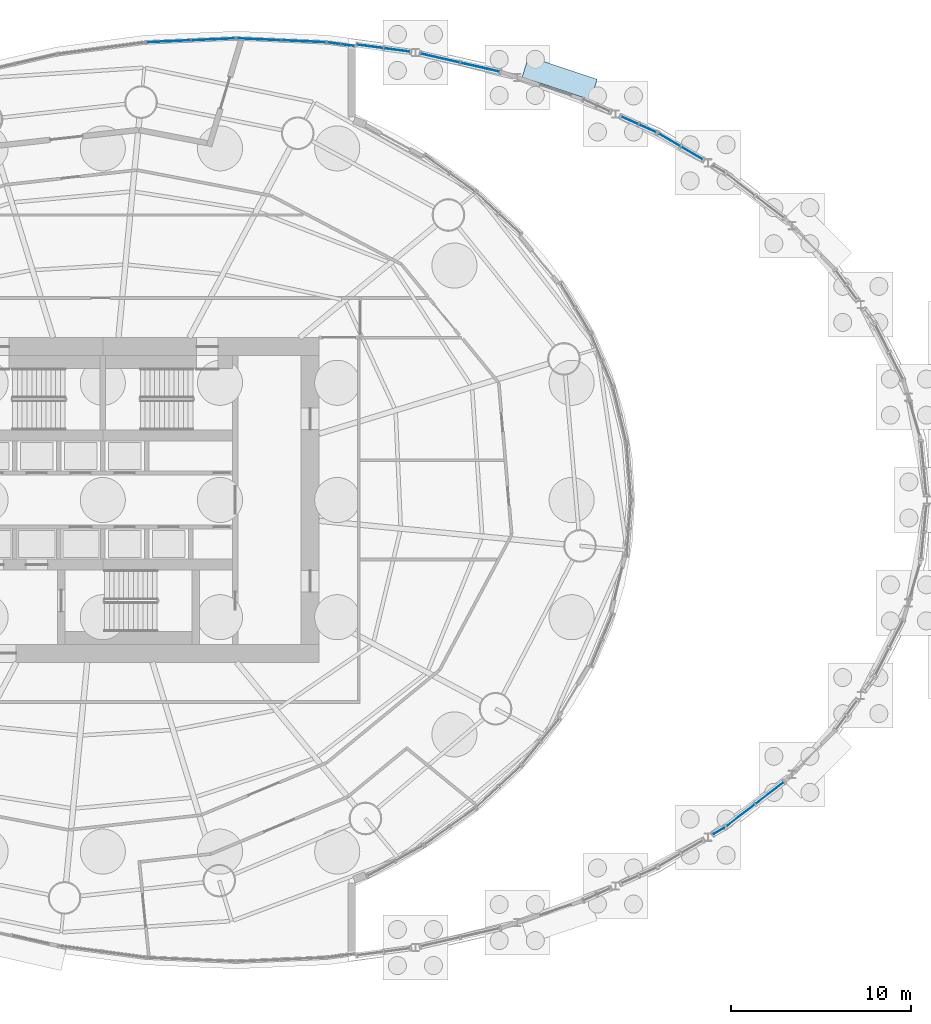
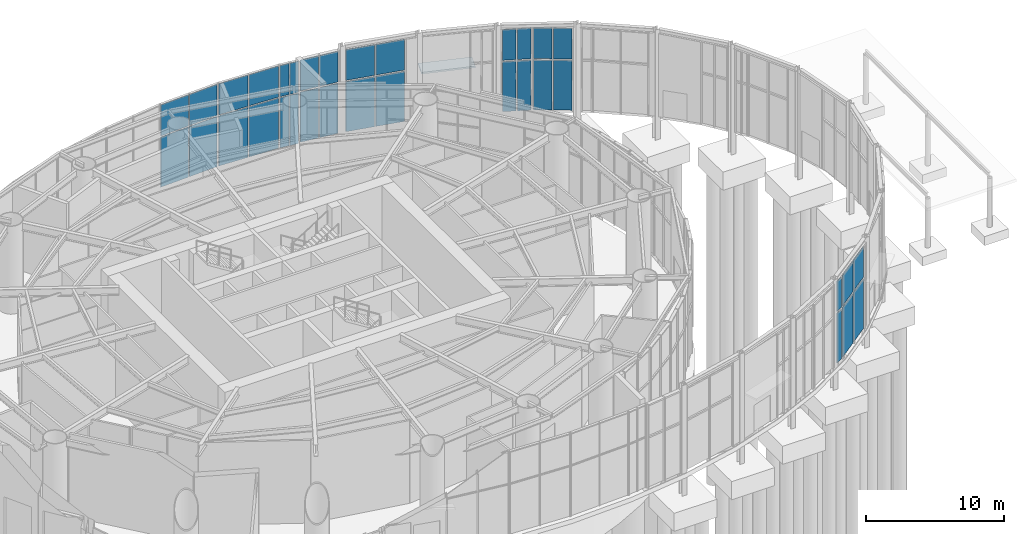
# One storey, part 19 of 27: 35 plates, 9 elements without a shape of their own.
"""IFC4 building model written with IfcOpenShell, lengths in metres."""

import ifcopenshell
import ifcopenshell.guid

model = None  # the IFC model being written
_history = None  # IfcOwnerHistory: only IFC2X3 demands one
_inside = {}  # id of a spatial element -> (the spatial element, [elements in it])
_under = {}  # id of a project, library or spatial element -> (it, [spatial elements below it])
_declared = {}  # id of a project -> (the project, [libraries it declares])
_typed = {}  # id of a type object -> (the type object, [elements of that type])
_made_of = {}  # id of a material, layer set ... -> (it, [elements and type objects made of it])


def new_model(schema):
    """Start an empty IFC model of exactly this schema.

    Asked for "IFC4X3", IfcOpenShell would pick the latest addendum, in which some entities
    have other attributes; the version numbers below select the first issue.
    IFC2X3 requires an IfcOwnerHistory on every rooted entity: one is made here for all.
    """
    global model, _history
    if schema == "IFC4X3":
        model = ifcopenshell.file(schema_version=(4, 3, 0, 0))
    else:
        model = ifcopenshell.file(schema=schema)
    _inside.clear()
    _under.clear()
    _declared.clear()
    _typed.clear()
    _made_of.clear()
    _history = None
    if model.schema == "IFC2X3":
        org = make("IfcOrganization", Name="unknown")
        user = make(
            "IfcPersonAndOrganization",
            ThePerson=make("IfcPerson", FamilyName="unknown"),
            TheOrganization=org,
        )
        app = make(
            "IfcApplication",
            ApplicationDeveloper=org,
            Version="unknown",
            ApplicationFullName="unknown",
            ApplicationIdentifier="unknown",
        )
        _history = make(
            "IfcOwnerHistory",
            OwningUser=user,
            OwningApplication=app,
            ChangeAction="ADDED",
            CreationDate=0,
        )
    return model


def make(cls, **values):
    """One entity of the class cls with the attributes given. An attribute that is None is left unset."""
    return model.create_entity(
        cls, **{name: value for name, value in values.items() if value is not None}
    )


def rooted(cls, **values):
    """An entity with a GlobalId (a new one), such as an element, a storey or a relation."""
    return make(cls, GlobalId=ifcopenshell.guid.new(), OwnerHistory=_history, **values)


def si_unit(unit_type, name, prefix=None):
    """IfcSIUnit, for example si_unit("LENGTHUNIT", "METRE", prefix="MILLI")."""
    return make("IfcSIUnit", UnitType=unit_type, Prefix=prefix, Name=name)


def assignment(units):
    """IfcUnitAssignment: the units of a project."""
    return None if units is None else make("IfcUnitAssignment", Units=units)


def point(xyz):
    """IfcCartesianPoint."""
    return None if xyz is None else make("IfcCartesianPoint", Coordinates=xyz)


def direction(xyz):
    """IfcDirection."""
    return None if xyz is None else make("IfcDirection", DirectionRatios=xyz)


def frame(location, z_axis=None, x_axis=None):
    """IfcAxis2Placement3D, a coordinate frame: its origin and axes. An axis left out is left unset."""
    return make(
        "IfcAxis2Placement3D",
        Location=point(location),
        Axis=direction(z_axis),
        RefDirection=direction(x_axis),
    )


def frame_2d(location, x_axis=None):
    """IfcAxis2Placement2D, a coordinate frame in the plane: its origin and x axis."""
    return make(
        "IfcAxis2Placement2D", Location=point(location), RefDirection=direction(x_axis)
    )


def origin():
    """The frame at (0, 0, 0) with its axes left unset."""
    return frame((0.0, 0.0, 0.0))


def origin_2d():
    """The frame at (0, 0) in the plane with its x axis left unset."""
    return frame_2d((0.0, 0.0))


def place(relative_to, where):
    """IfcLocalPlacement: puts the frame where relative to a parent placement (None: the world)."""
    return make(
        "IfcLocalPlacement", PlacementRelTo=relative_to, RelativePlacement=where
    )


def context(
    kind, dimensions, precision=None, world=None, true_north=None, identifier=None
):
    """IfcGeometricRepresentationContext, for example the 3D "Model" context."""
    return make(
        "IfcGeometricRepresentationContext",
        ContextIdentifier=identifier,
        ContextType=kind,
        CoordinateSpaceDimension=dimensions,
        Precision=precision,
        WorldCoordinateSystem=world,
        TrueNorth=true_north,
    )


def subcontext(parent, identifier, kind, view, scale=None):
    """IfcGeometricRepresentationSubContext, for example "Body" below "Model"."""
    return make(
        "IfcGeometricRepresentationSubContext",
        ContextIdentifier=identifier,
        ContextType=kind,
        ParentContext=parent,
        TargetScale=scale,
        TargetView=view,
    )


def project(units=None, contexts=None):
    """IfcProject with its units and contexts."""
    return rooted(
        "IfcProject",
        Name="project",
        RepresentationContexts=contexts,
        UnitsInContext=assignment(units),
    )


def spatial(cls, under=None, at=None, **own):
    """A site, building, storey or space (cls), placed at a placement, below another one or the project."""
    s = rooted(cls, ObjectPlacement=at, **own)
    if under is not None:
        _under.setdefault(under.id(), (under, []))[1].append(s)
    return s


def profile(cls, at=None, kind="AREA", **sizes):
    """A parametric profile (cls). Its sizes go by their IFC names, for example OverallWidth=200.0."""
    return make(cls, ProfileType=kind, Position=at, **sizes)


def rectangle(**sizes):
    """IfcRectangleProfileDef."""
    return profile("IfcRectangleProfileDef", **sizes)


def extrude(swept, where, along, depth):
    """IfcExtrudedAreaSolid: the profile swept, set in the frame where, extruded along a direction by depth."""
    return make(
        "IfcExtrudedAreaSolid",
        SweptArea=swept,
        Position=where,
        ExtrudedDirection=direction(along),
        Depth=depth,
    )


def shape(context_of_items, identifier, shape_type, items):
    """IfcShapeRepresentation: the items that make up one representation, for example the "Body"."""
    return make(
        "IfcShapeRepresentation",
        ContextOfItems=context_of_items,
        RepresentationIdentifier=identifier,
        RepresentationType=shape_type,
        Items=items,
    )


def material(Name=None, Category=None):
    """IfcMaterial."""
    return make("IfcMaterial", Name=Name, Category=Category)


def layer(
    of_material, thickness, ventilated=None, Name=None, Category=None, Priority=None
):
    """IfcMaterialLayer: one layer of a wall or slab, of a material (None: an air gap)."""
    return make(
        "IfcMaterialLayer",
        Material=of_material,
        LayerThickness=thickness,
        IsVentilated=ventilated,
        Name=Name,
        Category=Category,
        Priority=Priority,
    )


def layer_set(layers, Name=None):
    """IfcMaterialLayerSet."""
    return make("IfcMaterialLayerSet", MaterialLayers=layers, LayerSetName=Name)


def made_of(thing, what):
    """Note that an element or type object is made of a material, layer set ...; save() writes the relation."""
    if what is not None:
        _made_of.setdefault(what.id(), (what, []))[1].append(thing)
    return thing


def type_object(cls, material=None, **own):
    """A type object (cls), such as IfcWallType, which elements share."""
    return made_of(rooted(cls, **own), material)


def element(
    cls,
    number,
    at=None,
    inside=None,
    cuts=None,
    type_object=None,
    material=None,
    context=None,
    identifier="Body",
    shape_type=None,
    held_by="IfcProductDefinitionShape",
    body=None,
    shapes=None,
    **own,
):
    """One element of the class cls, such as IfcWall. Its Tag is "e" and its number.

    at: its placement. inside: the storey or other place that contains it. cuts: it is an
    opening in that element (IfcRelVoidsElement). A single representation is given by context,
    identifier, shape_type and body (its items); several are given by shapes. held_by: the class
    of the entity that holds the representations. save() writes the other relations.
    """
    e = rooted(cls, Tag="e%d" % number, ObjectPlacement=at, **own)
    if body is not None:
        shapes = [shape(context, identifier, shape_type, body)]
    if shapes is not None:
        e.Representation = make(held_by, Representations=shapes)
    if inside is not None:
        _inside.setdefault(inside.id(), (inside, []))[1].append(e)
    if cuts is not None:
        rooted(
            "IfcRelVoidsElement", RelatingBuildingElement=cuts, RelatedOpeningElement=e
        )
    if type_object is not None:
        _typed.setdefault(type_object.id(), (type_object, []))[1].append(e)
    return made_of(e, material)


def aggregate(whole, parts):
    """IfcRelAggregates: a whole, such as a stair, and the parts it consists of."""
    return rooted("IfcRelAggregates", RelatingObject=whole, RelatedObjects=parts)


def save(model, path):
    """Write the relations noted so far, then the file.

    IfcRelAggregates (storeys below a building ...), IfcRelContainedInSpatialStructure (elements
    in a storey), IfcRelDefinesByType, IfcRelAssociatesMaterial and IfcRelDeclares: one each for
    every whole, place, type object, material and project.
    """
    for whole, parts in _under.values():
        aggregate(whole, parts)
    for where, things in _inside.values():
        rooted(
            "IfcRelContainedInSpatialStructure",
            RelatedElements=things,
            RelatingStructure=where,
        )
    for kind, things in _typed.values():
        rooted("IfcRelDefinesByType", RelatedObjects=things, RelatingType=kind)
    for what, things in _made_of.values():
        rooted("IfcRelAssociatesMaterial", RelatedObjects=things, RelatingMaterial=what)
    for by, libraries in _declared.values():
        rooted("IfcRelDeclares", RelatingContext=by, RelatedDefinitions=libraries)
    model.write(path)


model = new_model("IFC4")

# Units and contexts
model_context = context("Model", 3, precision=1e-05, world=origin(), true_north=direction((0.0, 1.0)))
body_context = subcontext(model_context, "Body", "Model", "MODEL_VIEW")
ifc_project = project(units=[si_unit("LENGTHUNIT", "METRE"), si_unit("AREAUNIT", "SQUARE_METRE"), si_unit("VOLUMEUNIT", "CUBIC_METRE"), si_unit("PLANEANGLEUNIT", "RADIAN"), si_unit("MASSUNIT", "GRAM", prefix="KILO")], contexts=[model_context])

# Site, building, storey
site_placement = place(None, origin())
site = spatial("IfcSite", under=ifc_project, at=site_placement, CompositionType="ELEMENT")
building_placement = place(site_placement, origin())
building = spatial("IfcBuilding", under=site, at=building_placement, Name="Vermilion Reach Broadcast Tower", CompositionType="ELEMENT")
storey_placement = place(building_placement, origin())
storey = spatial("IfcBuildingStorey", under=building, at=storey_placement, Name="L00", CompositionType="ELEMENT", Elevation=0.0)

# Curtain wall, plates
ifc_material_1 = material(Name="Low-e laminated clear glass in aluminium frame", Category="aluminium")
curtain_wall_type_1 = type_object("IfcCurtainWallType", Name="Atrium outer wall curtain wall", PredefinedType="NOTDEFINED", material=ifc_material_1)
placement = place(storey_placement, origin())
curtain_wall_1 = element("IfcCurtainWall", 1, at=placement, inside=storey, type_object=curtain_wall_type_1, Name="Atrium wall L00 02-2", PredefinedType="NOTDEFINED")
ifc_material_2 = material(Name="Low-e laminated clear glass", Category="glass")
ifc_layer_1 = layer(ifc_material_2, 0.035888671875)
ifc_layer_set_1 = layer_set([ifc_layer_1], Name="Atrium outer wall glass panel")
plate_type_1 = type_object("IfcPlateType", Name="Atrium outer wall glass panel", PredefinedType="CURTAIN_PANEL", material=ifc_layer_set_1)
plate_1_placement = place(storey_placement, frame((28.166748046875, -18.348876953125, 0.0), z_axis=(0.0, 0.0, 1.0), x_axis=(0.861009057017, 0.508589622127, 0.0)))
plate_1 = element("IfcPlate", 2, at=plate_1_placement, type_object=plate_type_1, Name="Atrium wall glass panel L00 02-2.1.1", PredefinedType="CURTAIN_PANEL", context=body_context, shape_type="SweptSolid", body=[
    extrude(rectangle(XDim=0.636474609375, YDim=0.035888671875, at=origin_2d()), origin(), (0.0, 0.0, 1.0), 4.43994140625),
])
plate_2_placement = place(storey_placement, frame((28.166748046875, -18.348876953125, 4.56005859375), z_axis=(0.0, 0.0, 1.0), x_axis=(0.861009057017, 0.508589622127, 0.0)))
plate_2 = element("IfcPlate", 3, at=plate_2_placement, type_object=plate_type_1, Name="Atrium wall glass panel L00 02-2.1.2", PredefinedType="CURTAIN_PANEL", context=body_context, shape_type="SweptSolid", body=[
    extrude(rectangle(XDim=0.636474609375, YDim=0.035888671875, at=origin_2d()), origin(), (0.0, 0.0, 1.0), 2.72998046875),
])
aggregate(curtain_wall_1, [plate_1, plate_2])

curtain_wall_2 = element("IfcCurtainWall", 4, at=placement, inside=storey, type_object=curtain_wall_type_1, Name="Atrium wall L00 03", PredefinedType="NOTDEFINED")
plate_3_placement = place(storey_placement, frame((29.37158203125, -17.4873046875, 0.0), z_axis=(0.0, 0.0, 1.0), x_axis=(0.793082736826, 0.609113924113, 0.0)))
plate_3 = element("IfcPlate", 5, at=plate_3_placement, type_object=plate_type_1, Name="Atrium wall glass panel L00 03.1.1", PredefinedType="CURTAIN_PANEL", context=body_context, shape_type="SweptSolid", body=[
    extrude(rectangle(XDim=1.9296875, YDim=0.035888671875, at=origin_2d()), origin(), (0.0, 0.0, 1.0), 4.43994140625),
])
plate_4_placement = place(storey_placement, frame((29.37158203125, -17.4873046875, 4.56005859375), z_axis=(0.0, 0.0, 1.0), x_axis=(0.793082736826, 0.609113924113, 0.0)))
plate_4 = element("IfcPlate", 6, at=plate_4_placement, type_object=plate_type_1, Name="Atrium wall glass panel L00 03.1.2", PredefinedType="CURTAIN_PANEL", context=body_context, shape_type="SweptSolid", body=[
    extrude(rectangle(XDim=1.9296875, YDim=0.035888671875, at=origin_2d()), origin(), (0.0, 0.0, 1.0), 2.72998046875),
])
plate_5_placement = place(storey_placement, frame((30.981201171875, -16.2509765625, 0.0), z_axis=(0.0, 0.0, 1.0), x_axis=(0.793082736826, 0.609113924113, 0.0)))
plate_5 = element("IfcPlate", 7, at=plate_5_placement, type_object=plate_type_1, Name="Atrium wall glass panel L00 03.2.1", PredefinedType="CURTAIN_PANEL", context=body_context, shape_type="SweptSolid", body=[
    extrude(rectangle(XDim=1.9296875, YDim=0.035888671875, at=origin_2d()), origin(), (0.0, 0.0, 1.0), 4.43994140625),
])
plate_6_placement = place(storey_placement, frame((30.981201171875, -16.2509765625, 4.56005859375), z_axis=(0.0, 0.0, 1.0), x_axis=(0.793082736826, 0.609113924113, 0.0)))
plate_6 = element("IfcPlate", 8, at=plate_6_placement, type_object=plate_type_1, Name="Atrium wall glass panel L00 03.2.2", PredefinedType="CURTAIN_PANEL", context=body_context, shape_type="SweptSolid", body=[
    extrude(rectangle(XDim=1.9296875, YDim=0.035888671875, at=origin_2d()), origin(), (0.0, 0.0, 1.0), 2.72998046875),
])
aggregate(curtain_wall_2, [plate_3, plate_4, plate_5, plate_6])

curtain_wall_3 = element("IfcCurtainWall", 9, at=placement, inside=storey, type_object=curtain_wall_type_1, Name="Atrium wall L00 02-2", PredefinedType="NOTDEFINED")
plate_7_placement = place(storey_placement, frame((26.669677734375, 19.233154296875, 0.0), z_axis=(0.0, 0.0, 1.0), x_axis=(-0.861009057017, 0.508589622127, 0.0)))
plate_7 = element("IfcPlate", 10, at=plate_7_placement, type_object=plate_type_1, Name="Atrium wall glass panel L00 02-2.1.1", PredefinedType="CURTAIN_PANEL", context=body_context, shape_type="SweptSolid", body=[
    extrude(rectangle(XDim=1.344970703125, YDim=0.035888671875, at=origin_2d()), origin(), (0.0, 0.0, 1.0), 4.43994140625),
])
plate_8_placement = place(storey_placement, frame((26.669677734375, 19.233154296875, 4.56005859375), z_axis=(0.0, 0.0, 1.0), x_axis=(-0.861009057017, 0.508589622127, 0.0)))
plate_8 = element("IfcPlate", 11, at=plate_8_placement, type_object=plate_type_1, Name="Atrium wall glass panel L00 02-2.1.2", PredefinedType="CURTAIN_PANEL", context=body_context, shape_type="SweptSolid", body=[
    extrude(rectangle(XDim=1.344970703125, YDim=0.035888671875, at=origin_2d()), origin(), (0.0, 0.0, 1.0), 2.72998046875),
])
plate_9_placement = place(storey_placement, frame((25.42578125, 19.968017578125, 0.0), z_axis=(0.0, 0.0, 1.0), x_axis=(-0.861009057017, 0.508589622127, 0.0)))
plate_9 = element("IfcPlate", 12, at=plate_9_placement, type_object=plate_type_1, Name="Atrium wall glass panel L00 02-2.2.1", PredefinedType="CURTAIN_PANEL", context=body_context, shape_type="SweptSolid", body=[
    extrude(rectangle(XDim=1.344970703125, YDim=0.035888671875, at=origin_2d()), origin(), (0.0, 0.0, 1.0), 4.43994140625),
])
plate_10_placement = place(storey_placement, frame((25.42578125, 19.968017578125, 4.56005859375), z_axis=(0.0, 0.0, 1.0), x_axis=(-0.861009057017, 0.508589622127, 0.0)))
plate_10 = element("IfcPlate", 13, at=plate_10_placement, type_object=plate_type_1, Name="Atrium wall glass panel L00 02-2.2.2", PredefinedType="CURTAIN_PANEL", context=body_context, shape_type="SweptSolid", body=[
    extrude(rectangle(XDim=1.344970703125, YDim=0.035888671875, at=origin_2d()), origin(), (0.0, 0.0, 1.0), 2.72998046875),
])
aggregate(curtain_wall_3, [plate_7, plate_8, plate_9, plate_10])

curtain_wall_4 = element("IfcCurtainWall", 14, at=placement, inside=storey, type_object=curtain_wall_type_1, Name="Atrium wall L00 03-1", PredefinedType="NOTDEFINED")
plate_11_placement = place(storey_placement, frame((24.218017578125, 20.60498046875, 0.0), z_axis=(0.0, 0.0, 1.0), x_axis=(-0.911902064418, 0.410407876277, 0.0)))
plate_11 = element("IfcPlate", 15, at=plate_11_placement, type_object=plate_type_1, Name="Atrium wall glass panel L00 03-1.1.1", PredefinedType="CURTAIN_PANEL", context=body_context, shape_type="SweptSolid", body=[
    extrude(rectangle(XDim=0.990234375, YDim=0.035888671875, at=origin_2d()), origin(), (0.0, 0.0, 1.0), 4.43994140625),
])
plate_12_placement = place(storey_placement, frame((24.218017578125, 20.60498046875, 4.56005859375), z_axis=(0.0, 0.0, 1.0), x_axis=(-0.911902064418, 0.410407876277, 0.0)))
plate_12 = element("IfcPlate", 16, at=plate_12_placement, type_object=plate_type_1, Name="Atrium wall glass panel L00 03-1.1.2", PredefinedType="CURTAIN_PANEL", context=body_context, shape_type="SweptSolid", body=[
    extrude(rectangle(XDim=0.990234375, YDim=0.035888671875, at=origin_2d()), origin(), (0.0, 0.0, 1.0), 2.72998046875),
])
plate_13_placement = place(storey_placement, frame((23.223876953125, 21.052490234375, 0.0), z_axis=(0.0, 0.0, 1.0), x_axis=(-0.911902064418, 0.410407876277, 0.0)))
plate_13 = element("IfcPlate", 17, at=plate_13_placement, type_object=plate_type_1, Name="Atrium wall glass panel L00 03-1.2.1", PredefinedType="CURTAIN_PANEL", context=body_context, shape_type="SweptSolid", body=[
    extrude(rectangle(XDim=0.990234375, YDim=0.035888671875, at=origin_2d()), origin(), (0.0, 0.0, 1.0), 4.43994140625),
])
plate_14_placement = place(storey_placement, frame((23.223876953125, 21.052490234375, 4.56005859375), z_axis=(0.0, 0.0, 1.0), x_axis=(-0.911902064418, 0.410407876277, 0.0)))
plate_14 = element("IfcPlate", 18, at=plate_14_placement, type_object=plate_type_1, Name="Atrium wall glass panel L00 03-1.2.2", PredefinedType="CURTAIN_PANEL", context=body_context, shape_type="SweptSolid", body=[
    extrude(rectangle(XDim=0.990234375, YDim=0.035888671875, at=origin_2d()), origin(), (0.0, 0.0, 1.0), 2.72998046875),
])
aggregate(curtain_wall_4, [plate_11, plate_12, plate_13, plate_14])

curtain_wall_5 = element("IfcCurtainWall", 19, at=placement, inside=storey, type_object=curtain_wall_type_1, Name="Atrium wall L00 01", PredefinedType="NOTDEFINED")
plate_15_placement = place(storey_placement, frame((14.930419921875, 23.997314453125, 0.0), z_axis=(0.0, 0.0, 1.0), x_axis=(-0.974843253478, 0.222891523278, 0.0)))
plate_15 = element("IfcPlate", 20, at=plate_15_placement, type_object=plate_type_1, Name="Atrium wall glass panel L00 01.1.1", PredefinedType="CURTAIN_PANEL", context=body_context, shape_type="SweptSolid", body=[
    extrude(rectangle(XDim=2.18115234375, YDim=0.035888671875, at=origin_2d()), origin(), (0.0, 0.0, 1.0), 4.43994140625),
])
plate_16_placement = place(storey_placement, frame((14.930419921875, 23.997314453125, 4.56005859375), z_axis=(0.0, 0.0, 1.0), x_axis=(-0.974843253478, 0.222891523278, 0.0)))
plate_16 = element("IfcPlate", 21, at=plate_16_placement, type_object=plate_type_1, Name="Atrium wall glass panel L00 01.1.2", PredefinedType="CURTAIN_PANEL", context=body_context, shape_type="SweptSolid", body=[
    extrude(rectangle(XDim=2.18115234375, YDim=0.035888671875, at=origin_2d()), origin(), (0.0, 0.0, 1.0), 2.72998046875),
])
plate_17_placement = place(storey_placement, frame((12.70654296875, 24.505859375, 0.0), z_axis=(0.0, 0.0, 1.0), x_axis=(-0.974843253478, 0.222891523278, 0.0)))
plate_17 = element("IfcPlate", 22, at=plate_17_placement, type_object=plate_type_1, Name="Atrium wall glass panel L00 01.2.1", PredefinedType="CURTAIN_PANEL", context=body_context, shape_type="SweptSolid", body=[
    extrude(rectangle(XDim=2.18115234375, YDim=0.035888671875, at=origin_2d()), origin(), (0.0, 0.0, 1.0), 4.43994140625),
])
plate_18_placement = place(storey_placement, frame((12.70654296875, 24.505859375, 4.56005859375), z_axis=(0.0, 0.0, 1.0), x_axis=(-0.974843253478, 0.222891523278, 0.0)))
plate_18 = element("IfcPlate", 23, at=plate_18_placement, type_object=plate_type_1, Name="Atrium wall glass panel L00 01.2.2", PredefinedType="CURTAIN_PANEL", context=body_context, shape_type="SweptSolid", body=[
    extrude(rectangle(XDim=2.18115234375, YDim=0.035888671875, at=origin_2d()), origin(), (0.0, 0.0, 1.0), 2.72998046875),
])
aggregate(curtain_wall_5, [plate_15, plate_16, plate_17, plate_18])

curtain_wall_6 = element("IfcCurtainWall", 24, at=placement, inside=storey, type_object=curtain_wall_type_1, Name="Atrium wall L00 02", PredefinedType="NOTDEFINED")
plate_19_placement = place(storey_placement, frame((10.322265625, 24.954833984375, 0.0), z_axis=(0.0, 0.0, 1.0), x_axis=(-0.991143697753, 0.132793713723, 0.0)))
plate_19 = element("IfcPlate", 25, at=plate_19_placement, type_object=plate_type_1, Name="Atrium wall glass panel L00 02.1.1", PredefinedType="CURTAIN_PANEL", context=body_context, shape_type="SweptSolid", body=[
    extrude(rectangle(XDim=1.419921875, YDim=0.035888671875, at=origin_2d()), origin(), (0.0, 0.0, 1.0), 4.43994140625),
])
plate_20_placement = place(storey_placement, frame((10.322265625, 24.954833984375, 4.56005859375), z_axis=(0.0, 0.0, 1.0), x_axis=(-0.991143697753, 0.132793713723, 0.0)))
plate_20 = element("IfcPlate", 26, at=plate_20_placement, type_object=plate_type_1, Name="Atrium wall glass panel L00 02.1.2", PredefinedType="CURTAIN_PANEL", context=body_context, shape_type="SweptSolid", body=[
    extrude(rectangle(XDim=1.419921875, YDim=0.035888671875, at=origin_2d()), origin(), (0.0, 0.0, 1.0), 2.72998046875),
])
plate_21_placement = place(storey_placement, frame((8.81591796875, 25.15673828125, 0.0), z_axis=(0.0, 0.0, 1.0), x_axis=(-0.991143697753, 0.132793713723, 0.0)))
plate_21 = element("IfcPlate", 27, at=plate_21_placement, type_object=plate_type_1, Name="Atrium wall glass panel L00 02.2.1", PredefinedType="CURTAIN_PANEL", context=body_context, shape_type="SweptSolid", body=[
    extrude(rectangle(XDim=1.419921875, YDim=0.035888671875, at=origin_2d()), origin(), (0.0, 0.0, 1.0), 4.43994140625),
])
plate_22_placement = place(storey_placement, frame((8.81591796875, 25.15673828125, 4.56005859375), z_axis=(0.0, 0.0, 1.0), x_axis=(-0.991143697753, 0.132793713723, 0.0)))
plate_22 = element("IfcPlate", 28, at=plate_22_placement, type_object=plate_type_1, Name="Atrium wall glass panel L00 02.2.2", PredefinedType="CURTAIN_PANEL", context=body_context, shape_type="SweptSolid", body=[
    extrude(rectangle(XDim=1.419921875, YDim=0.035888671875, at=origin_2d()), origin(), (0.0, 0.0, 1.0), 2.72998046875),
])
aggregate(curtain_wall_6, [plate_19, plate_20, plate_21, plate_22])

# Plate
ifc_material_3 = material(Name="Laminated glass canopy", Category="glass")
ifc_layer_2 = layer(ifc_material_3, 0.14990234375)
ifc_layer_set_2 = layer_set([ifc_layer_2], Name="Entrance canopy 150")
plate_type_2 = type_object("IfcPlateType", Name="Entrance canopy 150", PredefinedType="SHEET", material=ifc_layer_set_2)
plate_23_placement = place(storey_placement, frame((19.333251953125, 23.392578125, 3.925048828125), z_axis=(0.0, 0.0, 1.0), x_axis=(0.949015935462, -0.315228098746, 0.0)))
element("IfcPlate", 29, at=plate_23_placement, inside=storey, type_object=plate_type_2, Name="Entrance canopy atr19", PredefinedType="SHEET", context=body_context, shape_type="SweptSolid", body=[
    extrude(rectangle(XDim=4.0, YDim=1.199951171875, at=origin_2d()), origin(), (0.0, 0.0, 1.0), 0.14990234375),
])

# Curtain wall, plates
ifc_material_4 = material(Name="Low-e laminated clear glass in aluminium frame", Category="aluminium")
curtain_wall_type_2 = type_object("IfcCurtainWallType", Name="Street frontage curtain wall", PredefinedType="NOTDEFINED", material=ifc_material_4)
curtain_wall_7 = element("IfcCurtainWall", 30, at=placement, inside=storey, type_object=curtain_wall_type_2, Name="Street frontage L00 01", PredefinedType="NOTDEFINED")
ifc_material_5 = material(Name="Low-e laminated clear glass", Category="glass")
ifc_layer_3 = layer(ifc_material_5, 0.028076171875)
ifc_layer_set_3 = layer_set([ifc_layer_3], Name="Street frontage glass panel")
plate_type_3 = type_object("IfcPlateType", Name="Street frontage glass panel", PredefinedType="CURTAIN_PANEL", material=ifc_layer_set_3)
plate_24_placement = place(storey_placement, frame((7.58349609375, 25.220947265625, 0.0), z_axis=(0.0, 0.0, 1.0), x_axis=(-0.991143724425, 0.132793514649, 0.0)))
plate_24 = element("IfcPlate", 31, at=plate_24_placement, type_object=plate_type_3, Name="Street frontage glass panel L00 01.1.1", PredefinedType="CURTAIN_PANEL", context=body_context, shape_type="SweptSolid", body=[
    extrude(rectangle(XDim=0.70068359375, YDim=0.028076171875, at=origin_2d()), origin(), (0.0, 0.0, 1.0), 4.455078125),
])
plate_25_placement = place(storey_placement, frame((7.58349609375, 25.220947265625, 4.544921875), z_axis=(0.0, 0.0, 1.0), x_axis=(-0.991143724425, 0.132793514649, 0.0)))
plate_25 = element("IfcPlate", 32, at=plate_25_placement, type_object=plate_type_3, Name="Street frontage glass panel L00 01.1.2", PredefinedType="CURTAIN_PANEL", context=body_context, shape_type="SweptSolid", body=[
    extrude(rectangle(XDim=0.70068359375, YDim=0.028076171875, at=origin_2d()), origin(), (0.0, 0.0, 1.0), 2.764892578125),
])
plate_26_placement = place(storey_placement, frame((6.819580078125, 25.3232421875, 0.0), z_axis=(0.0, 0.0, 1.0), x_axis=(-0.991143724425, 0.132793514649, 0.0)))
plate_26 = element("IfcPlate", 33, at=plate_26_placement, type_object=plate_type_3, Name="Street frontage glass panel L00 01.2.1", PredefinedType="CURTAIN_PANEL", context=body_context, shape_type="SweptSolid", body=[
    extrude(rectangle(XDim=0.70068359375, YDim=0.028076171875, at=origin_2d()), origin(), (0.0, 0.0, 1.0), 4.455078125),
])
plate_27_placement = place(storey_placement, frame((6.819580078125, 25.3232421875, 4.544921875), z_axis=(0.0, 0.0, 1.0), x_axis=(-0.991143724425, 0.132793514649, 0.0)))
plate_27 = element("IfcPlate", 34, at=plate_27_placement, type_object=plate_type_3, Name="Street frontage glass panel L00 01.2.2", PredefinedType="CURTAIN_PANEL", context=body_context, shape_type="SweptSolid", body=[
    extrude(rectangle(XDim=0.70068359375, YDim=0.028076171875, at=origin_2d()), origin(), (0.0, 0.0, 1.0), 2.764892578125),
])
aggregate(curtain_wall_7, [plate_24, plate_25, plate_26, plate_27])

curtain_wall_8 = element("IfcCurtainWall", 35, at=placement, inside=storey, type_object=curtain_wall_type_2, Name="Street frontage L00 02", PredefinedType="NOTDEFINED")
plate_28_placement = place(storey_placement, frame((5.134765625, 25.43505859375, 0.0), z_axis=(0.0, 0.0, 1.0), x_axis=(-0.999026912627, 0.044104737232, 0.0)))
plate_28 = element("IfcPlate", 36, at=plate_28_placement, type_object=plate_type_3, Name="Street frontage glass panel L00 02.1.1", PredefinedType="CURTAIN_PANEL", context=body_context, shape_type="SweptSolid", body=[
    extrude(rectangle(XDim=2.39892578125, YDim=0.028076171875, at=origin_2d()), origin(), (0.0, 0.0, 1.0), 4.455078125),
])
plate_29_placement = place(storey_placement, frame((5.134765625, 25.43505859375, 4.544921875), z_axis=(0.0, 0.0, 1.0), x_axis=(-0.999026912627, 0.044104737232, 0.0)))
plate_29 = element("IfcPlate", 37, at=plate_29_placement, type_object=plate_type_3, Name="Street frontage glass panel L00 02.1.2", PredefinedType="CURTAIN_PANEL", context=body_context, shape_type="SweptSolid", body=[
    extrude(rectangle(XDim=2.39892578125, YDim=0.028076171875, at=origin_2d()), origin(), (0.0, 0.0, 1.0), 2.764892578125),
])
plate_30_placement = place(storey_placement, frame((2.668212890625, 25.5439453125, 0.0), z_axis=(0.0, 0.0, 1.0), x_axis=(-0.999026912627, 0.044104737232, 0.0)))
plate_30 = element("IfcPlate", 38, at=plate_30_placement, type_object=plate_type_3, Name="Street frontage glass panel L00 02.2.1", PredefinedType="CURTAIN_PANEL", context=body_context, shape_type="SweptSolid", body=[
    extrude(rectangle(XDim=2.39892578125, YDim=0.028076171875, at=origin_2d()), origin(), (0.0, 0.0, 1.0), 4.455078125),
])
plate_31_placement = place(storey_placement, frame((2.668212890625, 25.5439453125, 4.544921875), z_axis=(0.0, 0.0, 1.0), x_axis=(-0.999026912627, 0.044104737232, 0.0)))
plate_31 = element("IfcPlate", 39, at=plate_31_placement, type_object=plate_type_3, Name="Street frontage glass panel L00 02.2.2", PredefinedType="CURTAIN_PANEL", context=body_context, shape_type="SweptSolid", body=[
    extrude(rectangle(XDim=2.39892578125, YDim=0.028076171875, at=origin_2d()), origin(), (0.0, 0.0, 1.0), 2.764892578125),
])
aggregate(curtain_wall_8, [plate_28, plate_29, plate_30, plate_31])

curtain_wall_9 = element("IfcCurtainWall", 40, at=placement, inside=storey, type_object=curtain_wall_type_2, Name="Street frontage L00 03", PredefinedType="NOTDEFINED")
plate_32_placement = place(storey_placement, frame((0.1318359375, 25.5439453125, 0.0), z_axis=(0.0, 0.0, 1.0), x_axis=(-0.999026912627, -0.044104737232, 0.0)))
plate_32 = element("IfcPlate", 41, at=plate_32_placement, type_object=plate_type_3, Name="Street frontage glass panel L00 03.1.1", PredefinedType="CURTAIN_PANEL", context=body_context, shape_type="SweptSolid", body=[
    extrude(rectangle(XDim=2.39892578125, YDim=0.028076171875, at=origin_2d()), origin(), (0.0, 0.0, 1.0), 4.455078125),
])
plate_33_placement = place(storey_placement, frame((0.1318359375, 25.5439453125, 4.544921875), z_axis=(0.0, 0.0, 1.0), x_axis=(-0.999026912627, -0.044104737232, 0.0)))
plate_33 = element("IfcPlate", 42, at=plate_33_placement, type_object=plate_type_3, Name="Street frontage glass panel L00 03.1.2", PredefinedType="CURTAIN_PANEL", context=body_context, shape_type="SweptSolid", body=[
    extrude(rectangle(XDim=2.39892578125, YDim=0.028076171875, at=origin_2d()), origin(), (0.0, 0.0, 1.0), 2.764892578125),
])
plate_34_placement = place(storey_placement, frame((-2.334716796875, 25.43505859375, 0.0), z_axis=(0.0, 0.0, 1.0), x_axis=(-0.999026912627, -0.044104737232, 0.0)))
plate_34 = element("IfcPlate", 43, at=plate_34_placement, type_object=plate_type_3, Name="Street frontage glass panel L00 03.2.1", PredefinedType="CURTAIN_PANEL", context=body_context, shape_type="SweptSolid", body=[
    extrude(rectangle(XDim=2.39892578125, YDim=0.028076171875, at=origin_2d()), origin(), (0.0, 0.0, 1.0), 4.455078125),
])
plate_35_placement = place(storey_placement, frame((-2.334716796875, 25.43505859375, 4.544921875), z_axis=(0.0, 0.0, 1.0), x_axis=(-0.999026912627, -0.044104737232, 0.0)))
plate_35 = element("IfcPlate", 44, at=plate_35_placement, type_object=plate_type_3, Name="Street frontage glass panel L00 03.2.2", PredefinedType="CURTAIN_PANEL", context=body_context, shape_type="SweptSolid", body=[
    extrude(rectangle(XDim=2.39892578125, YDim=0.028076171875, at=origin_2d()), origin(), (0.0, 0.0, 1.0), 2.764892578125),
])
aggregate(curtain_wall_9, [plate_32, plate_33, plate_34, plate_35])

save(model, "model.ifc")
